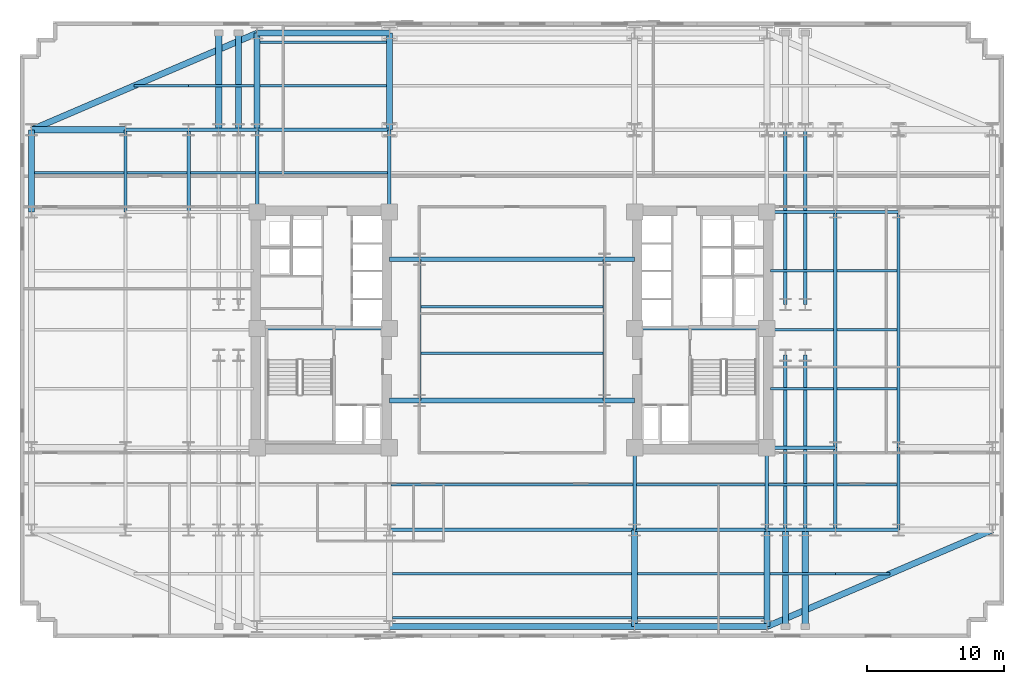
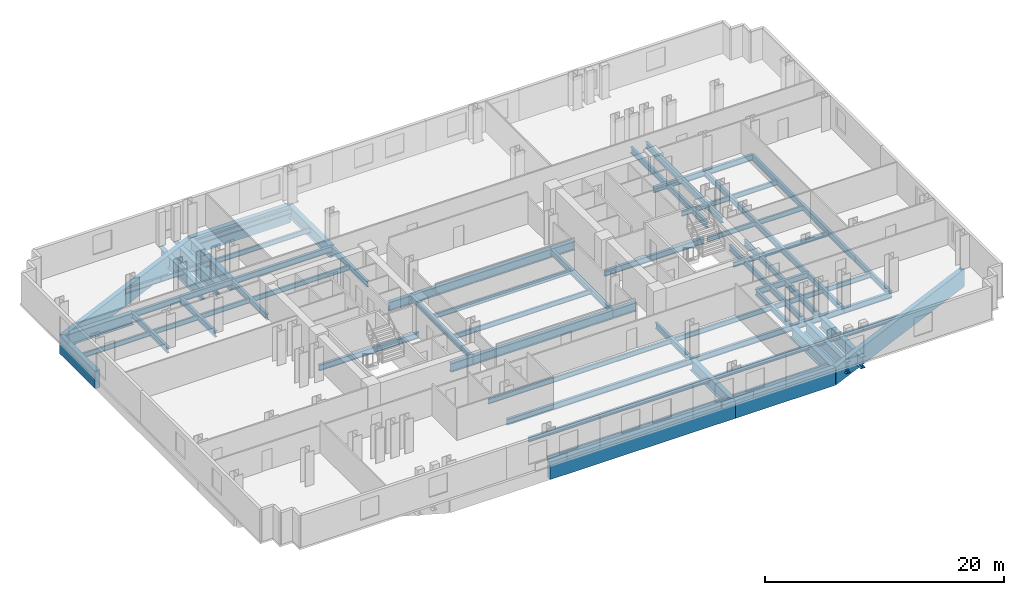
# One storey, part 2 of 10: 75 beams.
"""IFC4 building model written with IfcOpenShell, lengths in metres."""

from ifc_helpers import new_model, si_unit, direction, frame, origin, origin_2d, place, context, subcontext, project, spatial, rectangle, i_section, extrude, material, material_profile, profile_set, type_object, element, save


model = new_model("IFC4")

# Units and contexts
model_context = context("Model", 3, precision=1e-05, world=origin(), true_north=direction((0.0, 1.0)))
body_context = subcontext(model_context, "Body", "Model", "MODEL_VIEW")
ifc_project = project(units=[si_unit("LENGTHUNIT", "METRE"), si_unit("AREAUNIT", "SQUARE_METRE"), si_unit("VOLUMEUNIT", "CUBIC_METRE"), si_unit("PLANEANGLEUNIT", "RADIAN"), si_unit("MASSUNIT", "GRAM", prefix="KILO")], contexts=[model_context])

# Site, building, storey
site_placement = place(None, origin())
site = spatial("IfcSite", under=ifc_project, at=site_placement, CompositionType="ELEMENT")
building_placement = place(site_placement, origin())
building = spatial("IfcBuilding", under=site, at=building_placement, Name="Velakula Bourse", CompositionType="ELEMENT")
storey_placement = place(building_placement, frame((0.0, 0.0, 31.199951171875)))
storey = spatial("IfcBuildingStorey", under=building, at=storey_placement, Name="L07", CompositionType="ELEMENT", Elevation=31.199951171875)

# Beams
ifc_material_1 = material(Name="Steel IS 2062 Grade 350 (E350)", Category="steel")
ifc_material_profile_1 = material_profile(ifc_material_1, i_section(OverallWidth=0.25, OverallDepth=0.60009765625, WebThickness=0.01171875, FlangeThickness=0.023681640625, at=origin_2d()), Name="Steel IS 2062 Grade 350 (E350)")
ifc_profile_set_1 = profile_set([ifc_material_profile_1], Name="Steel IS 2062 Grade 350 (E350)")
beam_type_1 = type_object("IfcBeamType", Name="BM-GRD-600H", PredefinedType="BEAM", material=ifc_profile_set_1)
for number, where, z_axis, x_axis, name in (
    (1, (-18.60009765625, 0.10009765625, -0.47998046875), (1.0, 0.0, 0.0), (0.0, 1.0, 0.0), "L07 Primary Backbone Girder CRW-M"),
    (2, (8.949951171875, 0.10009765625, -0.47998046875), (1.0, 0.0, 0.0), (0.0, 1.0, 0.0), "L07 Primary Backbone Girder CRE-M"),
):
    element("IfcBeam", number, at=place(storey_placement, frame(where, z_axis=z_axis, x_axis=x_axis)), inside=storey, type_object=beam_type_1, Name=name, PredefinedType="BEAM", context=body_context, shape_type="SweptSolid", body=[
        extrude(i_section(OverallWidth=0.25, OverallDepth=0.60009765625, WebThickness=0.01171875, FlangeThickness=0.023681640625, at=origin_2d()), origin(), (0.0, 0.0, 1.0), 9.650146484375),
    ])
for number, where, z_axis, x_axis, name in (
    (3, (-6.75, -5.14990234375, -0.47998046875), (0.0, 1.0, 0.0), (-1.0, 0.0, 0.0), "L07 Primary Backbone Girder SPN-W"),
    (4, (6.75, -5.14990234375, -0.47998046875), (0.0, 1.0, 0.0), (-1.0, 0.0, 0.0), "L07 Primary Backbone Girder SPN-E"),
):
    element("IfcBeam", number, at=place(storey_placement, frame(where, z_axis=z_axis, x_axis=x_axis)), inside=storey, type_object=beam_type_1, Name=name, PredefinedType="BEAM", context=body_context, shape_type="SweptSolid", body=[
        extrude(i_section(OverallWidth=0.25, OverallDepth=0.60009765625, WebThickness=0.01171875, FlangeThickness=0.023681640625, at=origin_2d()), origin(), (0.0, 0.0, 1.0), 10.2998046875),
    ])
for number, where, z_axis, x_axis, name in (
    (5, (-18.60009765625, 8.60009765625, -0.47998046875), (0.0, 1.0, 0.0), (-1.0, 0.0, 0.0), "L07 Fulcrum Grid Girder FLC-WN"),
    (6, (-8.949951171875, 8.60009765625, -0.47998046875), (0.0, 1.0, 0.0), (-1.0, 0.0, 0.0), "L07 Fulcrum Grid Girder FLC-WCN"),
    (7, (8.949951171875, -14.60009765625, -0.47998046875), (0.0, 1.0, 0.0), (-1.0, 0.0, 0.0), "L07 Fulcrum Grid Girder FLC-ECS"),
    (8, (18.60009765625, -14.60009765625, -0.47998046875), (0.0, 1.0, 0.0), (-1.0, 0.0, 0.0), "L07 Fulcrum Grid Girder FLC-ES"),
):
    element("IfcBeam", number, at=place(storey_placement, frame(where, z_axis=z_axis, x_axis=x_axis)), inside=storey, type_object=beam_type_1, Name=name, PredefinedType="BEAM", context=body_context, shape_type="SweptSolid", body=[
        extrude(i_section(OverallWidth=0.25, OverallDepth=0.60009765625, WebThickness=0.01171875, FlangeThickness=0.023681640625, at=origin_2d()), origin(), (0.0, 0.0, 1.0), 6.0),
    ])
beam_1_placement = place(storey_placement, frame((-8.949951171875, -14.60009765625, -0.47998046875), z_axis=(1.0, 0.0, 0.0), x_axis=(0.0, 1.0, 0.0)))
element("IfcBeam", 9, at=beam_1_placement, inside=storey, type_object=beam_type_1, Name="L07 Fulcrum Grid Girder FLC-S2", PredefinedType="BEAM", context=body_context, shape_type="SweptSolid", body=[
    extrude(i_section(OverallWidth=0.25, OverallDepth=0.60009765625, WebThickness=0.01171875, FlangeThickness=0.023681640625, at=origin_2d()), origin(), (0.0, 0.0, 1.0), 17.89990234375),
])
for number, where, z_axis, x_axis, name in (
    (10, (8.949951171875, -14.60009765625, -0.47998046875), (1.0, 0.0, 0.0), (0.0, 1.0, 0.0), "L07 Fulcrum Grid Girder FLC-S3"),
    (11, (-18.60009765625, 14.60009765625, -0.47998046875), (1.0, 0.0, 0.0), (0.0, 1.0, 0.0), "L07 Fulcrum Grid Girder FLC-N1"),
):
    element("IfcBeam", number, at=place(storey_placement, frame(where, z_axis=z_axis, x_axis=x_axis)), inside=storey, type_object=beam_type_1, Name=name, PredefinedType="BEAM", context=body_context, shape_type="SweptSolid", body=[
        extrude(i_section(OverallWidth=0.25, OverallDepth=0.60009765625, WebThickness=0.01171875, FlangeThickness=0.023681640625, at=origin_2d()), origin(), (0.0, 0.0, 1.0), 9.650146484375),
    ])
for number, where, z_axis, x_axis, name in (
    (12, (19.949951171875, -14.60009765625, -0.47998046875), (0.0, 1.0, 0.0), (-1.0, 0.0, 0.0), "L07 Fulcrum Grid Girder FLC-PSE1"),
    (13, (19.949951171875, 1.85009765625, -0.47998046875), (0.0, 1.0, 0.0), (-1.0, 0.0, 0.0), "L07 Fulcrum Grid Girder FLC-PNE1"),
    (14, (21.39990234375, -14.60009765625, -0.47998046875), (0.0, 1.0, 0.0), (-1.0, 0.0, 0.0), "L07 Fulcrum Grid Girder FLC-PSE2"),
    (15, (21.39990234375, 1.85009765625, -0.47998046875), (0.0, 1.0, 0.0), (-1.0, 0.0, 0.0), "L07 Fulcrum Grid Girder FLC-PNE2"),
):
    element("IfcBeam", number, at=place(storey_placement, frame(where, z_axis=z_axis, x_axis=x_axis)), inside=storey, type_object=beam_type_1, Name=name, PredefinedType="BEAM", context=body_context, shape_type="SweptSolid", body=[
        extrude(i_section(OverallWidth=0.25, OverallDepth=0.60009765625, WebThickness=0.01171875, FlangeThickness=0.023681640625, at=origin_2d()), origin(), (0.0, 0.0, 1.0), 12.75),
    ])
beam_2_placement = place(storey_placement, frame((-23.60009765625, 14.60009765625, -0.47998046875), z_axis=(1.0, 0.0, 0.0), x_axis=(0.0, 1.0, 0.0)))
element("IfcBeam", 16, at=beam_2_placement, inside=storey, type_object=beam_type_1, Name="L07 Fulcrum Grid Girder MWG-WN2", PredefinedType="BEAM", context=body_context, shape_type="SweptSolid", body=[
    extrude(i_section(OverallWidth=0.25, OverallDepth=0.60009765625, WebThickness=0.01171875, FlangeThickness=0.023681640625, at=origin_2d()), origin(), (0.0, 0.0, 1.0), 5.0),
])
beam_3_placement = place(storey_placement, frame((-23.60009765625, 8.60009765625, -0.47998046875), z_axis=(0.0, 1.0, 0.0), x_axis=(-1.0, 0.0, 0.0)))
element("IfcBeam", 17, at=beam_3_placement, inside=storey, type_object=beam_type_1, Name="L07 Fulcrum Grid Girder MWG-WNS3", PredefinedType="BEAM", context=body_context, shape_type="SweptSolid", body=[
    extrude(i_section(OverallWidth=0.25, OverallDepth=0.60009765625, WebThickness=0.01171875, FlangeThickness=0.023681640625, at=origin_2d()), origin(), (0.0, 0.0, 1.0), 6.0),
])
for number, where, z_axis, x_axis, name in (
    (18, (18.60009765625, -14.60009765625, -0.47998046875), (1.0, 0.0, 0.0), (0.0, 1.0, 0.0), "L07 Fulcrum Grid Girder MWG-ES1"),
    (19, (18.60009765625, -8.60009765625, -0.47998046875), (1.0, 0.0, 0.0), (0.0, 1.0, 0.0), "L07 Fulcrum Grid Girder MWG-ES2"),
    (20, (18.60009765625, 8.60009765625, -0.47998046875), (1.0, 0.0, 0.0), (0.0, 1.0, 0.0), "L07 Fulcrum Grid Girder MWG-EN1"),
):
    element("IfcBeam", number, at=place(storey_placement, frame(where, z_axis=z_axis, x_axis=x_axis)), inside=storey, type_object=beam_type_1, Name=name, PredefinedType="BEAM", context=body_context, shape_type="SweptSolid", body=[
        extrude(i_section(OverallWidth=0.25, OverallDepth=0.60009765625, WebThickness=0.01171875, FlangeThickness=0.023681640625, at=origin_2d()), origin(), (0.0, 0.0, 1.0), 5.0),
    ])
beam_4_placement = place(storey_placement, frame((23.60009765625, -14.60009765625, -0.47998046875), z_axis=(0.0, 1.0, 0.0), x_axis=(-1.0, 0.0, 0.0)))
element("IfcBeam", 21, at=beam_4_placement, inside=storey, type_object=beam_type_1, Name="L07 Fulcrum Grid Girder MWG-ENS1", PredefinedType="BEAM", context=body_context, shape_type="SweptSolid", body=[
    extrude(i_section(OverallWidth=0.25, OverallDepth=0.60009765625, WebThickness=0.01171875, FlangeThickness=0.023681640625, at=origin_2d()), origin(), (0.0, 0.0, 1.0), 6.0),
])
beam_5_placement = place(storey_placement, frame((23.60009765625, -8.60009765625, -0.47998046875), z_axis=(0.0, 1.0, 0.0), x_axis=(-1.0, 0.0, 0.0)))
element("IfcBeam", 22, at=beam_5_placement, inside=storey, type_object=beam_type_1, Name="L07 Fulcrum Grid Girder MWG-ENS2", PredefinedType="BEAM", context=body_context, shape_type="SweptSolid", body=[
    extrude(i_section(OverallWidth=0.25, OverallDepth=0.60009765625, WebThickness=0.01171875, FlangeThickness=0.023681640625, at=origin_2d()), origin(), (0.0, 0.0, 1.0), 17.2001953125),
])
beam_6_placement = place(storey_placement, frame((-28.199951171875, 14.60009765625, -0.47998046875), z_axis=(1.0, 0.0, 0.0), x_axis=(0.0, 1.0, 0.0)))
element("IfcBeam", 23, at=beam_6_placement, inside=storey, type_object=beam_type_1, Name="L07 Fulcrum Grid Girder WNG-WN2", PredefinedType="BEAM", context=body_context, shape_type="SweptSolid", body=[
    extrude(i_section(OverallWidth=0.25, OverallDepth=0.60009765625, WebThickness=0.01171875, FlangeThickness=0.023681640625, at=origin_2d()), origin(), (0.0, 0.0, 1.0), 4.599853515625),
])
beam_7_placement = place(storey_placement, frame((-28.199951171875, 8.60009765625, -0.47998046875), z_axis=(0.0, 1.0, 0.0), x_axis=(-1.0, 0.0, 0.0)))
element("IfcBeam", 24, at=beam_7_placement, inside=storey, type_object=beam_type_1, Name="L07 Fulcrum Grid Girder WNG-WNS3", PredefinedType="BEAM", context=body_context, shape_type="SweptSolid", body=[
    extrude(i_section(OverallWidth=0.25, OverallDepth=0.60009765625, WebThickness=0.01171875, FlangeThickness=0.023681640625, at=origin_2d()), origin(), (0.0, 0.0, 1.0), 6.0),
])
for number, where, z_axis, x_axis, name in (
    (25, (23.60009765625, -14.60009765625, -0.47998046875), (1.0, 0.0, 0.0), (0.0, 1.0, 0.0), "L07 Fulcrum Grid Girder WNG-ES1"),
    (26, (23.60009765625, 8.60009765625, -0.47998046875), (1.0, 0.0, 0.0), (0.0, 1.0, 0.0), "L07 Fulcrum Grid Girder WNG-EN1"),
):
    element("IfcBeam", number, at=place(storey_placement, frame(where, z_axis=z_axis, x_axis=x_axis)), inside=storey, type_object=beam_type_1, Name=name, PredefinedType="BEAM", context=body_context, shape_type="SweptSolid", body=[
        extrude(i_section(OverallWidth=0.25, OverallDepth=0.60009765625, WebThickness=0.01171875, FlangeThickness=0.023681640625, at=origin_2d()), origin(), (0.0, 0.0, 1.0), 4.599853515625),
    ])
beam_8_placement = place(storey_placement, frame((28.199951171875, -14.60009765625, -0.47998046875), z_axis=(0.0, 1.0, 0.0), x_axis=(-1.0, 0.0, 0.0)))
element("IfcBeam", 27, at=beam_8_placement, inside=storey, type_object=beam_type_1, Name="L07 Fulcrum Grid Girder WNG-ENS1", PredefinedType="BEAM", context=body_context, shape_type="SweptSolid", body=[
    extrude(i_section(OverallWidth=0.25, OverallDepth=0.60009765625, WebThickness=0.01171875, FlangeThickness=0.023681640625, at=origin_2d()), origin(), (0.0, 0.0, 1.0), 6.0),
])
beam_9_placement = place(storey_placement, frame((28.199951171875, -8.60009765625, -0.47998046875), z_axis=(0.0, 1.0, 0.0), x_axis=(-1.0, 0.0, 0.0)))
element("IfcBeam", 28, at=beam_9_placement, inside=storey, type_object=beam_type_1, Name="L07 Fulcrum Grid Girder WNG-ENS2", PredefinedType="BEAM", context=body_context, shape_type="SweptSolid", body=[
    extrude(i_section(OverallWidth=0.25, OverallDepth=0.60009765625, WebThickness=0.01171875, FlangeThickness=0.023681640625, at=origin_2d()), origin(), (0.0, 0.0, 1.0), 17.2001953125),
])
ifc_material_profile_2 = material_profile(ifc_material_1, i_section(OverallWidth=0.35009765625, OverallDepth=0.89990234375, WebThickness=0.02001953125, FlangeThickness=0.031982421875, at=origin_2d()), Name="Steel IS 2062 Grade 350 (E350)")
ifc_profile_set_2 = profile_set([ifc_material_profile_2], Name="Steel IS 2062 Grade 350 (E350)")
beam_type_2 = type_object("IfcBeamType", Name="BM-LNK-900", PredefinedType="BEAM", material=ifc_profile_set_2)
beam_10_placement = place(storey_placement, frame((-8.949951171875, -5.14990234375, -0.6298828125), z_axis=(1.0, 0.0, 0.0), x_axis=(0.0, 1.0, 0.0)))
element("IfcBeam", 29, at=beam_10_placement, inside=storey, type_object=beam_type_2, Name="L07 Primary Backbone Girder LNK-S1", PredefinedType="BEAM", context=body_context, shape_type="SweptSolid", body=[
    extrude(i_section(OverallWidth=0.35009765625, OverallDepth=0.89990234375, WebThickness=0.02001953125, FlangeThickness=0.031982421875, at=origin_2d()), origin(), (0.0, 0.0, 1.0), 2.199951171875),
])
beam_11_placement = place(storey_placement, frame((-6.75, -5.14990234375, -0.6298828125), z_axis=(1.0, 0.0, 0.0), x_axis=(0.0, 1.0, 0.0)))
element("IfcBeam", 30, at=beam_11_placement, inside=storey, type_object=beam_type_2, Name="L07 Primary Backbone Girder LNK-S2", PredefinedType="BEAM", context=body_context, shape_type="SweptSolid", body=[
    extrude(i_section(OverallWidth=0.35009765625, OverallDepth=0.89990234375, WebThickness=0.02001953125, FlangeThickness=0.031982421875, at=origin_2d()), origin(), (0.0, 0.0, 1.0), 13.5),
])
for number, where, z_axis, x_axis, name in (
    (31, (6.75, -5.14990234375, -0.6298828125), (1.0, 0.0, 0.0), (0.0, 1.0, 0.0), "L07 Primary Backbone Girder LNK-S3"),
    (32, (-8.949951171875, 5.14990234375, -0.6298828125), (1.0, 0.0, 0.0), (0.0, 1.0, 0.0), "L07 Primary Backbone Girder LNK-N1"),
):
    element("IfcBeam", number, at=place(storey_placement, frame(where, z_axis=z_axis, x_axis=x_axis)), inside=storey, type_object=beam_type_2, Name=name, PredefinedType="BEAM", context=body_context, shape_type="SweptSolid", body=[
        extrude(i_section(OverallWidth=0.35009765625, OverallDepth=0.89990234375, WebThickness=0.02001953125, FlangeThickness=0.031982421875, at=origin_2d()), origin(), (0.0, 0.0, 1.0), 2.199951171875),
    ])
beam_12_placement = place(storey_placement, frame((-6.75, 5.14990234375, -0.6298828125), z_axis=(1.0, 0.0, 0.0), x_axis=(0.0, 1.0, 0.0)))
element("IfcBeam", 33, at=beam_12_placement, inside=storey, type_object=beam_type_2, Name="L07 Primary Backbone Girder LNK-N2", PredefinedType="BEAM", context=body_context, shape_type="SweptSolid", body=[
    extrude(i_section(OverallWidth=0.35009765625, OverallDepth=0.89990234375, WebThickness=0.02001953125, FlangeThickness=0.031982421875, at=origin_2d()), origin(), (0.0, 0.0, 1.0), 13.5),
])
beam_13_placement = place(storey_placement, frame((6.75, 5.14990234375, -0.6298828125), z_axis=(1.0, 0.0, 0.0), x_axis=(0.0, 1.0, 0.0)))
element("IfcBeam", 34, at=beam_13_placement, inside=storey, type_object=beam_type_2, Name="L07 Primary Backbone Girder LNK-N3", PredefinedType="BEAM", context=body_context, shape_type="SweptSolid", body=[
    extrude(i_section(OverallWidth=0.35009765625, OverallDepth=0.89990234375, WebThickness=0.02001953125, FlangeThickness=0.031982421875, at=origin_2d()), origin(), (0.0, 0.0, 1.0), 2.199951171875),
])
ifc_material_profile_3 = material_profile(ifc_material_1, i_section(OverallWidth=0.179931640625, OverallDepth=0.5, WebThickness=0.01025390625, FlangeThickness=0.01708984375, at=origin_2d()), Name="Steel IS 2062 Grade 350 (E350)")
ifc_profile_set_3 = profile_set([ifc_material_profile_3], Name="Steel IS 2062 Grade 350 (E350)")
beam_type_3 = type_object("IfcBeamType", Name="JST-TWR-500", PredefinedType="JOIST", material=ifc_profile_set_3)
beam_14_placement = place(storey_placement, frame((-8.72509765625, -21.0, -0.429931640625), z_axis=(1.0, 0.0, 0.0), x_axis=(0.0, 1.0, 0.0)))
element("IfcBeam", 35, at=beam_14_placement, inside=storey, type_object=beam_type_3, Name="L07 Trading Floor Composite Joist 02", PredefinedType="JOIST", context=body_context, shape_type="SweptSolid", body=[
    extrude(i_section(OverallWidth=0.179931640625, OverallDepth=0.5, WebThickness=0.01025390625, FlangeThickness=0.01708984375, at=origin_2d()), origin(), (0.0, 0.0, 1.0), 17.4501953125),
])
beam_15_placement = place(storey_placement, frame((9.175048828125, -21.0, -0.429931640625), z_axis=(1.0, 0.0, 0.0), x_axis=(0.0, 1.0, 0.0)))
element("IfcBeam", 36, at=beam_15_placement, inside=storey, type_object=beam_type_3, Name="L07 Trading Floor Composite Joist 03", PredefinedType="JOIST", context=body_context, shape_type="SweptSolid", body=[
    extrude(i_section(OverallWidth=0.179931640625, OverallDepth=0.5, WebThickness=0.01025390625, FlangeThickness=0.01708984375, at=origin_2d()), origin(), (0.0, 0.0, 1.0), 9.199951171875),
])
beam_16_placement = place(storey_placement, frame((-8.72509765625, -17.800048828125, -0.429931640625), z_axis=(1.0, 0.0, 0.0), x_axis=(0.0, 1.0, 0.0)))
element("IfcBeam", 37, at=beam_16_placement, inside=storey, type_object=beam_type_3, Name="L07 Trading Floor Composite Joist 07", PredefinedType="JOIST", context=body_context, shape_type="SweptSolid", body=[
    extrude(i_section(OverallWidth=0.179931640625, OverallDepth=0.5, WebThickness=0.01025390625, FlangeThickness=0.01708984375, at=origin_2d()), origin(), (0.0, 0.0, 1.0), 17.4501953125),
])
beam_17_placement = place(storey_placement, frame((9.175048828125, -17.800048828125, -0.429931640625), z_axis=(1.0, 0.0, 0.0), x_axis=(0.0, 1.0, 0.0)))
element("IfcBeam", 38, at=beam_17_placement, inside=storey, type_object=beam_type_3, Name="L07 Trading Floor Composite Joist 08", PredefinedType="JOIST", context=body_context, shape_type="SweptSolid", body=[
    extrude(i_section(OverallWidth=0.179931640625, OverallDepth=0.5, WebThickness=0.01025390625, FlangeThickness=0.01708984375, at=origin_2d()), origin(), (0.0, 0.0, 1.0), 9.199951171875),
])
beam_18_placement = place(storey_placement, frame((18.824951171875, -17.800048828125, -0.429931640625), z_axis=(1.0, 0.0, 0.0), x_axis=(0.0, 1.0, 0.0)))
element("IfcBeam", 39, at=beam_18_placement, inside=storey, type_object=beam_type_3, Name="L07 Trading Floor Composite Joist 09", PredefinedType="JOIST", context=body_context, shape_type="SweptSolid", body=[
    extrude(i_section(OverallWidth=0.179931640625, OverallDepth=0.5, WebThickness=0.01025390625, FlangeThickness=0.01708984375, at=origin_2d()), origin(), (0.0, 0.0, 1.0), 4.775146484375),
])
beam_19_placement = place(storey_placement, frame((23.60009765625, -17.800048828125, -0.429931640625), z_axis=(1.0, 0.0, 0.0), x_axis=(0.0, 1.0, 0.0)))
element("IfcBeam", 40, at=beam_19_placement, inside=storey, type_object=beam_type_3, Name="L07 Trading Floor Composite Joist 10", PredefinedType="JOIST", context=body_context, shape_type="SweptSolid", body=[
    extrude(i_section(OverallWidth=0.179931640625, OverallDepth=0.5, WebThickness=0.01025390625, FlangeThickness=0.01708984375, at=origin_2d()), origin(), (0.0, 0.0, 1.0), 3.983154296875),
])
beam_20_placement = place(storey_placement, frame((-8.824951171875, -11.300048828125, -0.429931640625), z_axis=(1.0, 0.0, 0.0), x_axis=(0.0, 1.0, 0.0)))
element("IfcBeam", 41, at=beam_20_placement, inside=storey, type_object=beam_type_3, Name="L07 Trading Floor Composite Joist 15", PredefinedType="JOIST", context=body_context, shape_type="SweptSolid", body=[
    extrude(i_section(OverallWidth=0.179931640625, OverallDepth=0.5, WebThickness=0.01025390625, FlangeThickness=0.01708984375, at=origin_2d()), origin(), (0.0, 0.0, 1.0), 17.64990234375),
])
beam_21_placement = place(storey_placement, frame((9.074951171875, -11.300048828125, -0.429931640625), z_axis=(1.0, 0.0, 0.0), x_axis=(0.0, 1.0, 0.0)))
element("IfcBeam", 42, at=beam_21_placement, inside=storey, type_object=beam_type_3, Name="L07 Trading Floor Composite Joist 16", PredefinedType="JOIST", context=body_context, shape_type="SweptSolid", body=[
    extrude(i_section(OverallWidth=0.179931640625, OverallDepth=0.5, WebThickness=0.01025390625, FlangeThickness=0.01708984375, at=origin_2d()), origin(), (0.0, 0.0, 1.0), 9.400146484375),
])
beam_22_placement = place(storey_placement, frame((18.72509765625, -11.300048828125, -0.429931640625), z_axis=(1.0, 0.0, 0.0), x_axis=(0.0, 1.0, 0.0)))
element("IfcBeam", 43, at=beam_22_placement, inside=storey, type_object=beam_type_3, Name="L07 Trading Floor Composite Joist 17", PredefinedType="JOIST", context=body_context, shape_type="SweptSolid", body=[
    extrude(i_section(OverallWidth=0.179931640625, OverallDepth=0.5, WebThickness=0.01025390625, FlangeThickness=0.01708984375, at=origin_2d()), origin(), (0.0, 0.0, 1.0), 4.75),
])
beam_23_placement = place(storey_placement, frame((23.72509765625, -11.300048828125, -0.429931640625), z_axis=(1.0, 0.0, 0.0), x_axis=(0.0, 1.0, 0.0)))
element("IfcBeam", 44, at=beam_23_placement, inside=storey, type_object=beam_type_3, Name="L07 Trading Floor Composite Joist 18", PredefinedType="JOIST", context=body_context, shape_type="SweptSolid", body=[
    extrude(i_section(OverallWidth=0.179931640625, OverallDepth=0.5, WebThickness=0.01025390625, FlangeThickness=0.01708984375, at=origin_2d()), origin(), (0.0, 0.0, 1.0), 4.349853515625),
])
beam_24_placement = place(storey_placement, frame((-34.824951171875, 11.449951171875, -0.429931640625), z_axis=(1.0, 0.0, 0.0), x_axis=(0.0, 1.0, 0.0)))
element("IfcBeam", 45, at=beam_24_placement, inside=storey, type_object=beam_type_3, Name="L07 Trading Floor Composite Joist 20", PredefinedType="JOIST", context=body_context, shape_type="SweptSolid", body=[
    extrude(i_section(OverallWidth=0.179931640625, OverallDepth=0.5, WebThickness=0.01025390625, FlangeThickness=0.01708984375, at=origin_2d()), origin(), (0.0, 0.0, 1.0), 6.5),
])
beam_25_placement = place(storey_placement, frame((-28.074951171875, 11.449951171875, -0.429931640625), z_axis=(1.0, 0.0, 0.0), x_axis=(0.0, 1.0, 0.0)))
element("IfcBeam", 46, at=beam_25_placement, inside=storey, type_object=beam_type_3, Name="L07 Trading Floor Composite Joist 21", PredefinedType="JOIST", context=body_context, shape_type="SweptSolid", body=[
    extrude(i_section(OverallWidth=0.179931640625, OverallDepth=0.5, WebThickness=0.01025390625, FlangeThickness=0.01708984375, at=origin_2d()), origin(), (0.0, 0.0, 1.0), 4.349853515625),
])
beam_26_placement = place(storey_placement, frame((-23.47509765625, 11.449951171875, -0.429931640625), z_axis=(1.0, 0.0, 0.0), x_axis=(0.0, 1.0, 0.0)))
element("IfcBeam", 47, at=beam_26_placement, inside=storey, type_object=beam_type_3, Name="L07 Trading Floor Composite Joist 22", PredefinedType="JOIST", context=body_context, shape_type="SweptSolid", body=[
    extrude(i_section(OverallWidth=0.179931640625, OverallDepth=0.5, WebThickness=0.01025390625, FlangeThickness=0.01708984375, at=origin_2d()), origin(), (0.0, 0.0, 1.0), 4.75),
])
beam_27_placement = place(storey_placement, frame((-18.47509765625, 11.449951171875, -0.429931640625), z_axis=(1.0, 0.0, 0.0), x_axis=(0.0, 1.0, 0.0)))
element("IfcBeam", 48, at=beam_27_placement, inside=storey, type_object=beam_type_3, Name="L07 Trading Floor Composite Joist 23", PredefinedType="JOIST", context=body_context, shape_type="SweptSolid", body=[
    extrude(i_section(OverallWidth=0.179931640625, OverallDepth=0.5, WebThickness=0.01025390625, FlangeThickness=0.01708984375, at=origin_2d()), origin(), (0.0, 0.0, 1.0), 9.400146484375),
])
beam_28_placement = place(storey_placement, frame((-27.583251953125, 17.800048828125, -0.429931640625), z_axis=(1.0, 0.0, 0.0), x_axis=(0.0, 1.0, 0.0)))
element("IfcBeam", 49, at=beam_28_placement, inside=storey, type_object=beam_type_3, Name="L07 Trading Floor Composite Joist 29", PredefinedType="JOIST", context=body_context, shape_type="SweptSolid", body=[
    extrude(i_section(OverallWidth=0.179931640625, OverallDepth=0.5, WebThickness=0.01025390625, FlangeThickness=0.01708984375, at=origin_2d()), origin(), (0.0, 0.0, 1.0), 3.983154296875),
])
beam_29_placement = place(storey_placement, frame((-23.60009765625, 17.800048828125, -0.429931640625), z_axis=(1.0, 0.0, 0.0), x_axis=(0.0, 1.0, 0.0)))
element("IfcBeam", 50, at=beam_29_placement, inside=storey, type_object=beam_type_3, Name="L07 Trading Floor Composite Joist 30", PredefinedType="JOIST", context=body_context, shape_type="SweptSolid", body=[
    extrude(i_section(OverallWidth=0.179931640625, OverallDepth=0.5, WebThickness=0.01025390625, FlangeThickness=0.01708984375, at=origin_2d()), origin(), (0.0, 0.0, 1.0), 4.775146484375),
])
for number, where, z_axis, x_axis, name in (
    (51, (-18.375, 17.800048828125, -0.429931640625), (1.0, 0.0, 0.0), (0.0, 1.0, 0.0), "L07 Trading Floor Composite Joist 31"),
    (52, (-18.375, 21.0, -0.429931640625), (1.0, 0.0, 0.0), (0.0, 1.0, 0.0), "L07 Trading Floor Composite Joist 36"),
):
    element("IfcBeam", number, at=place(storey_placement, frame(where, z_axis=z_axis, x_axis=x_axis)), inside=storey, type_object=beam_type_3, Name=name, PredefinedType="JOIST", context=body_context, shape_type="SweptSolid", body=[
        extrude(i_section(OverallWidth=0.179931640625, OverallDepth=0.5, WebThickness=0.01025390625, FlangeThickness=0.01708984375, at=origin_2d()), origin(), (0.0, 0.0, 1.0), 9.199951171875),
    ])
for number, where, z_axis, x_axis, name in (
    (53, (-6.625, -1.699951171875, -0.429931640625), (1.0, 0.0, 0.0), (0.0, 1.0, 0.0), "L07 Trading Floor Composite Joist 39"),
    (54, (-6.625, 1.699951171875, -0.429931640625), (1.0, 0.0, 0.0), (0.0, 1.0, 0.0), "L07 Trading Floor Composite Joist 40"),
):
    element("IfcBeam", number, at=place(storey_placement, frame(where, z_axis=z_axis, x_axis=x_axis)), inside=storey, type_object=beam_type_3, Name=name, PredefinedType="JOIST", context=body_context, shape_type="SweptSolid", body=[
        extrude(i_section(OverallWidth=0.179931640625, OverallDepth=0.5, WebThickness=0.01025390625, FlangeThickness=0.01708984375, at=origin_2d()), origin(), (0.0, 0.0, 1.0), 13.25),
    ])
beam_30_placement = place(storey_placement, frame((18.85009765625, -4.300048828125, -0.429931640625), z_axis=(1.0, 0.0, 0.0), x_axis=(0.0, 1.0, 0.0)))
element("IfcBeam", 55, at=beam_30_placement, inside=storey, type_object=beam_type_3, Name="L07 Trading Floor Composite Joist 44", PredefinedType="JOIST", context=body_context, shape_type="SweptSolid", body=[
    extrude(i_section(OverallWidth=0.179931640625, OverallDepth=0.5, WebThickness=0.01025390625, FlangeThickness=0.01708984375, at=origin_2d()), origin(), (0.0, 0.0, 1.0), 4.625),
])
beam_31_placement = place(storey_placement, frame((23.72509765625, -4.300048828125, -0.429931640625), z_axis=(1.0, 0.0, 0.0), x_axis=(0.0, 1.0, 0.0)))
element("IfcBeam", 56, at=beam_31_placement, inside=storey, type_object=beam_type_3, Name="L07 Trading Floor Composite Joist 45", PredefinedType="JOIST", context=body_context, shape_type="SweptSolid", body=[
    extrude(i_section(OverallWidth=0.179931640625, OverallDepth=0.5, WebThickness=0.01025390625, FlangeThickness=0.01708984375, at=origin_2d()), origin(), (0.0, 0.0, 1.0), 4.349853515625),
])
beam_32_placement = place(storey_placement, frame((18.85009765625, 0.0, -0.429931640625), z_axis=(1.0, 0.0, 0.0), x_axis=(0.0, 1.0, 0.0)))
element("IfcBeam", 57, at=beam_32_placement, inside=storey, type_object=beam_type_3, Name="L07 Trading Floor Composite Joist 50", PredefinedType="JOIST", context=body_context, shape_type="SweptSolid", body=[
    extrude(i_section(OverallWidth=0.179931640625, OverallDepth=0.5, WebThickness=0.01025390625, FlangeThickness=0.01708984375, at=origin_2d()), origin(), (0.0, 0.0, 1.0), 4.625),
])
beam_33_placement = place(storey_placement, frame((23.72509765625, 0.0, -0.429931640625), z_axis=(1.0, 0.0, 0.0), x_axis=(0.0, 1.0, 0.0)))
element("IfcBeam", 58, at=beam_33_placement, inside=storey, type_object=beam_type_3, Name="L07 Trading Floor Composite Joist 51", PredefinedType="JOIST", context=body_context, shape_type="SweptSolid", body=[
    extrude(i_section(OverallWidth=0.179931640625, OverallDepth=0.5, WebThickness=0.01025390625, FlangeThickness=0.01708984375, at=origin_2d()), origin(), (0.0, 0.0, 1.0), 4.349853515625),
])
beam_34_placement = place(storey_placement, frame((18.85009765625, 4.300048828125, -0.429931640625), z_axis=(1.0, 0.0, 0.0), x_axis=(0.0, 1.0, 0.0)))
element("IfcBeam", 59, at=beam_34_placement, inside=storey, type_object=beam_type_3, Name="L07 Trading Floor Composite Joist 56", PredefinedType="JOIST", context=body_context, shape_type="SweptSolid", body=[
    extrude(i_section(OverallWidth=0.179931640625, OverallDepth=0.5, WebThickness=0.01025390625, FlangeThickness=0.01708984375, at=origin_2d()), origin(), (0.0, 0.0, 1.0), 4.625),
])
beam_35_placement = place(storey_placement, frame((23.72509765625, 4.300048828125, -0.429931640625), z_axis=(1.0, 0.0, 0.0), x_axis=(0.0, 1.0, 0.0)))
element("IfcBeam", 60, at=beam_35_placement, inside=storey, type_object=beam_type_3, Name="L07 Trading Floor Composite Joist 57", PredefinedType="JOIST", context=body_context, shape_type="SweptSolid", body=[
    extrude(i_section(OverallWidth=0.179931640625, OverallDepth=0.5, WebThickness=0.01025390625, FlangeThickness=0.01708984375, at=origin_2d()), origin(), (0.0, 0.0, 1.0), 4.349853515625),
])
ifc_material_2 = material(Name="Concrete M50 (fck 50 MPa)", Category="concrete")
ifc_material_profile_4 = material_profile(ifc_material_2, rectangle(XDim=0.449951171875, YDim=1.800048828125, at=origin_2d()), Name="Concrete M50 (fck 50 MPa)")
ifc_profile_set_4 = profile_set([ifc_material_profile_4], Name="Concrete M50 (fck 50 MPa)")
beam_type_4 = type_object("IfcBeamType", Name="SPN-TRF-1800", PredefinedType="SPANDREL", material=ifc_profile_set_4)
beam_36_placement = place(storey_placement, frame((-8.949951171875, -21.64990234375, -1.079833984375), z_axis=(1.0, 0.0, 0.0), x_axis=(0.0, 1.0, 0.0)))
element("IfcBeam", 61, at=beam_36_placement, inside=storey, type_object=beam_type_4, Name="L07 Brick-Faced Precast Spandrel S2-S3", PredefinedType="SPANDREL", context=body_context, shape_type="SweptSolid", body=[
    extrude(rectangle(XDim=0.449951171875, YDim=1.800048828125, at=origin_2d()), origin(), (0.0, 0.0, 1.0), 17.89990234375),
])
for number, where, z_axis, x_axis, name in (
    (62, (8.949951171875, -21.64990234375, -1.079833984375), (1.0, 0.0, 0.0), (0.0, 1.0, 0.0), "L07 Brick-Faced Precast Spandrel S3-S4"),
    (63, (-18.60009765625, 21.64990234375, -1.079833984375), (1.0, 0.0, 0.0), (0.0, 1.0, 0.0), "L07 Brick-Faced Precast Spandrel N1-N2"),
):
    element("IfcBeam", number, at=place(storey_placement, frame(where, z_axis=z_axis, x_axis=x_axis)), inside=storey, type_object=beam_type_4, Name=name, PredefinedType="SPANDREL", context=body_context, shape_type="SweptSolid", body=[
        extrude(rectangle(XDim=0.449951171875, YDim=1.800048828125, at=origin_2d()), origin(), (0.0, 0.0, 1.0), 9.650146484375),
    ])
beam_37_placement = place(storey_placement, frame((-35.050048828125, 8.60009765625, -1.079833984375), z_axis=(0.0, 1.0, 0.0), x_axis=(-1.0, 0.0, 0.0)))
element("IfcBeam", 64, at=beam_37_placement, inside=storey, type_object=beam_type_4, Name="L07 Brick-Faced Precast Spandrel W3-W4", PredefinedType="SPANDREL", context=body_context, shape_type="SweptSolid", body=[
    extrude(rectangle(XDim=0.449951171875, YDim=1.800048828125, at=origin_2d()), origin(), (0.0, 0.0, 1.0), 6.0),
])
for number, where, z_axis, x_axis, name in (
    (65, (18.60009765625, -21.64990234375, -1.079833984375), (0.919148557947, 0.393911066642, 0.0), (-0.393911066642, 0.919148557947, 0.0), "L07 Brick-Faced Precast Spandrel S4-E1"),
    (66, (-18.60009765625, 21.64990234375, -1.079833984375), (-0.919148557947, -0.393911066642, 0.0), (0.393911066642, -0.919148557947, 0.0), "L07 Brick-Faced Precast Spandrel N1-W4"),
):
    element("IfcBeam", number, at=place(storey_placement, frame(where, z_axis=z_axis, x_axis=x_axis)), inside=storey, type_object=beam_type_4, Name=name, PredefinedType="SPANDREL", context=body_context, shape_type="SweptSolid", body=[
        extrude(rectangle(XDim=0.449951171875, YDim=1.800048828125, at=origin_2d()), origin(), (0.0, 0.0, 1.0), 17.89697265625),
    ])
ifc_material_3 = material(Name="Steel IS 2062 Grade 450 (E450)", Category="steel")
ifc_material_profile_5 = material_profile(ifc_material_3, i_section(OverallWidth=0.449951171875, OverallDepth=1.199951171875, WebThickness=0.02587890625, FlangeThickness=0.0400390625, at=origin_2d()), Name="Steel IS 2062 Grade 450 (E450)")
ifc_profile_set_5 = profile_set([ifc_material_profile_5], Name="Steel IS 2062 Grade 450 (E450)")
beam_type_5 = type_object("IfcBeamType", Name="TB-CANT-1200", PredefinedType="BEAM", material=ifc_profile_set_5)
for number, where, z_axis, x_axis, name in (
    (67, (8.949951171875, -14.60009765625, -0.780029296875), (0.0, -1.0, 0.0), (1.0, 0.0, 0.0), "L07 Perimeter Tie Girder S3"),
    (68, (18.60009765625, -14.60009765625, -0.780029296875), (0.0, -1.0, 0.0), (1.0, 0.0, 0.0), "L07 Perimeter Tie Girder S4"),
    (69, (-18.60009765625, 14.60009765625, -0.780029296875), (0.0, 1.0, 0.0), (-1.0, 0.0, 0.0), "L07 Perimeter Tie Girder N1"),
    (70, (-8.949951171875, 14.60009765625, -0.780029296875), (0.0, 1.0, 0.0), (-1.0, 0.0, 0.0), "L07 Perimeter Tie Girder N2"),
):
    element("IfcBeam", number, at=place(storey_placement, frame(where, z_axis=z_axis, x_axis=x_axis)), inside=storey, type_object=beam_type_5, Name=name, PredefinedType="BEAM", context=body_context, shape_type="SweptSolid", body=[
        extrude(i_section(OverallWidth=0.449951171875, OverallDepth=1.199951171875, WebThickness=0.02587890625, FlangeThickness=0.0400390625, at=origin_2d()), origin(), (0.0, 0.0, 1.0), 7.0498046875),
    ])
beam_38_placement = place(storey_placement, frame((-28.199951171875, 14.60009765625, -0.780029296875), z_axis=(-1.0, 0.0, 0.0), x_axis=(0.0, -1.0, 0.0)))
element("IfcBeam", 71, at=beam_38_placement, inside=storey, type_object=beam_type_5, Name="L07 Perimeter Tie Girder W4", PredefinedType="BEAM", context=body_context, shape_type="SweptSolid", body=[
    extrude(i_section(OverallWidth=0.449951171875, OverallDepth=1.199951171875, WebThickness=0.02587890625, FlangeThickness=0.0400390625, at=origin_2d()), origin(), (0.0, 0.0, 1.0), 6.85009765625),
])
for number, where, z_axis, x_axis, name in (
    (72, (19.949951171875, -14.60009765625, -0.780029296875), (0.0, -1.0, 0.0), (1.0, 0.0, 0.0), "L07 Perimeter Tie Girder P03"),
    (73, (21.39990234375, -14.60009765625, -0.780029296875), (0.0, -1.0, 0.0), (1.0, 0.0, 0.0), "L07 Perimeter Tie Girder P04"),
    (74, (-21.39990234375, 14.60009765625, -0.780029296875), (0.0, 1.0, 0.0), (-1.0, 0.0, 0.0), "L07 Perimeter Tie Girder P05"),
    (75, (-19.949951171875, 14.60009765625, -0.780029296875), (0.0, 1.0, 0.0), (-1.0, 0.0, 0.0), "L07 Perimeter Tie Girder P06"),
):
    element("IfcBeam", number, at=place(storey_placement, frame(where, z_axis=z_axis, x_axis=x_axis)), inside=storey, type_object=beam_type_5, Name=name, PredefinedType="BEAM", context=body_context, shape_type="SweptSolid", body=[
        extrude(i_section(OverallWidth=0.449951171875, OverallDepth=1.199951171875, WebThickness=0.02587890625, FlangeThickness=0.0400390625, at=origin_2d()), origin(), (0.0, 0.0, 1.0), 7.0498046875),
    ])

save(model, "model.ifc")
